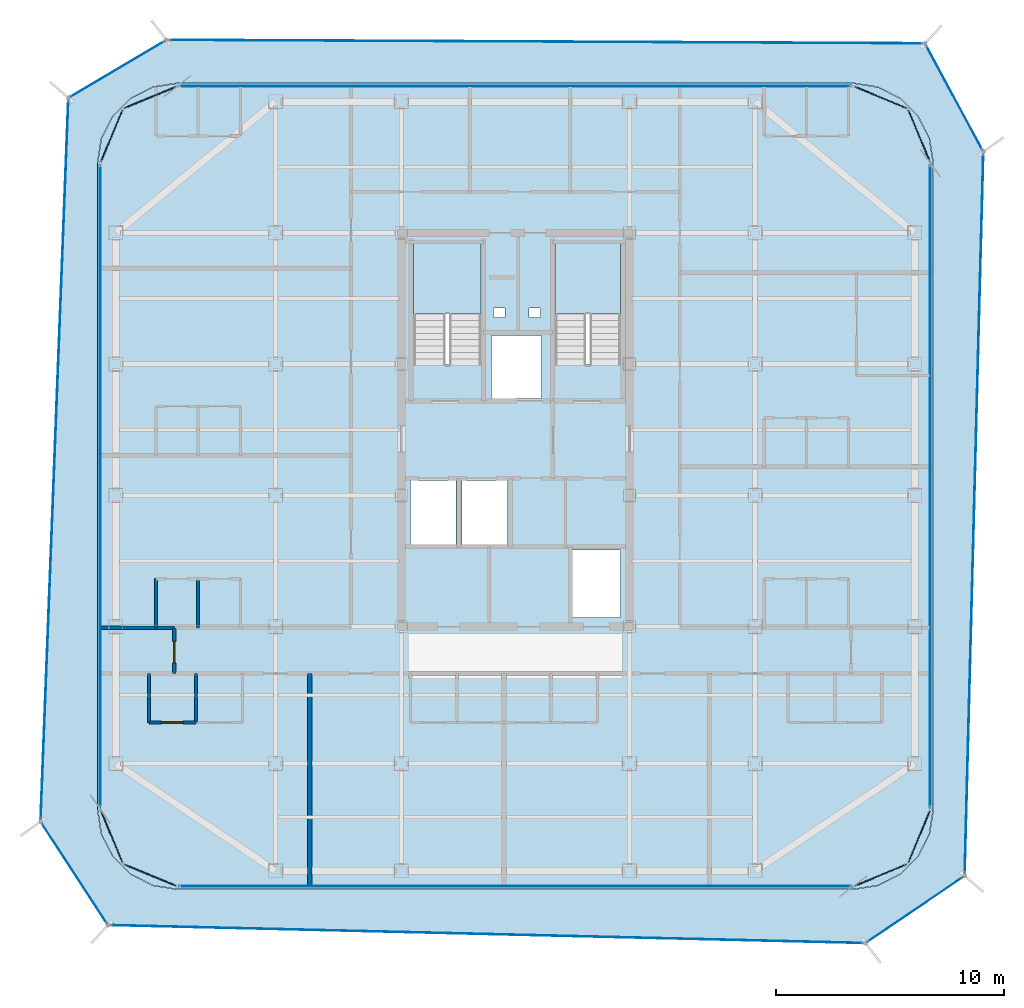
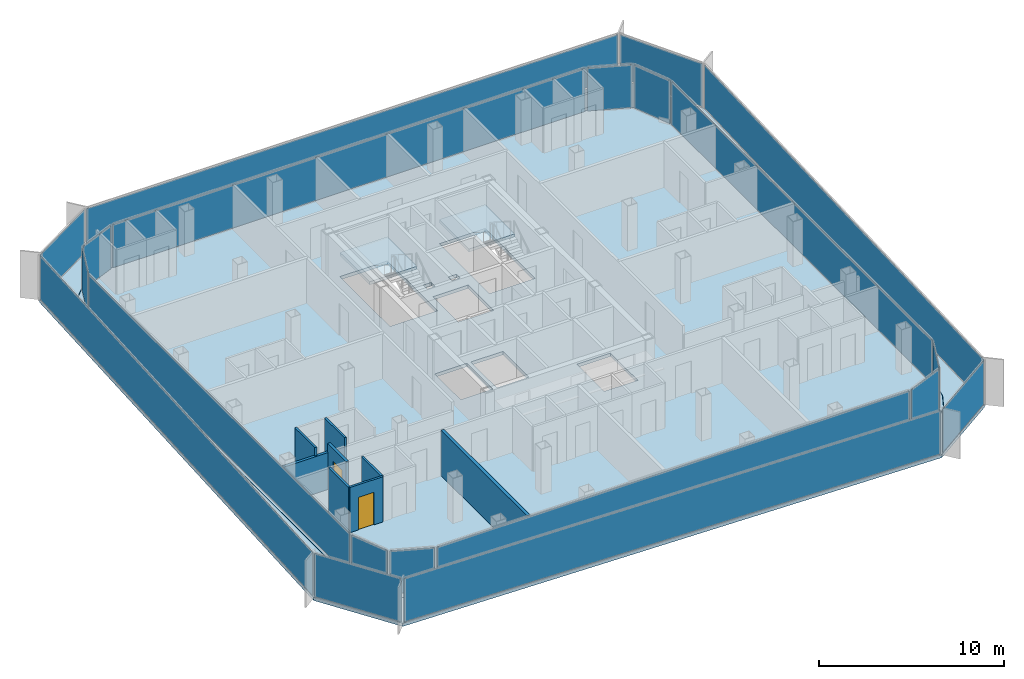
# One storey, part 9 of 16: 20 plates, 8 walls, 4 slabs, 2 doors, 2 openings, 22 elements without a shape of their own.
"""IFC4 building model written with IfcOpenShell, lengths in metres."""

from ifc_helpers import new_model, si_unit, direction, frame, frame_2d, origin, origin_2d, place, context, subcontext, project, spatial, polyline, rectangle, outline, extrude, source, transform, mapped, material, layer, layer_set, type_object, element, fill, aggregate, save


model = new_model("IFC4")

# Units and contexts
model_context = context("Model", 3, precision=1e-05, world=origin(), true_north=direction((0.0, 1.0)))
body_context = subcontext(model_context, "Body", "Model", "MODEL_VIEW")
ifc_project = project(units=[si_unit("LENGTHUNIT", "METRE"), si_unit("AREAUNIT", "SQUARE_METRE"), si_unit("VOLUMEUNIT", "CUBIC_METRE"), si_unit("PLANEANGLEUNIT", "RADIAN"), si_unit("MASSUNIT", "GRAM", prefix="KILO")], contexts=[model_context])

# Site, building, storey
site_placement = place(None, origin())
site = spatial("IfcSite", under=ifc_project, at=site_placement, CompositionType="ELEMENT")
building_placement = place(site_placement, origin())
building = spatial("IfcBuilding", under=site, at=building_placement, Name="Kolveth Station Tower", CompositionType="ELEMENT")
storey_placement = place(building_placement, frame((0.0, 0.0, 236.10009765625)))
storey = spatial("IfcBuildingStorey", under=building, at=storey_placement, Name="L67", CompositionType="ELEMENT", Elevation=236.10009765625)

# Slab
ifc_material_1 = material(Name="Concrete C40/50", Category="concrete")
ifc_layer_1 = layer(ifc_material_1, 0.219970703125)
ifc_layer_set_1 = layer_set([ifc_layer_1], Name="Concrete C40/50")
slab_type_1 = type_object("IfcSlabType", Name="Slab_SF-220", PredefinedType="FLOOR", material=ifc_layer_set_1)
slab_1_placement = place(storey_placement, frame((0.0, 0.0, -0.22021484375)))
element("IfcSlab", 1, at=slab_1_placement, inside=storey, type_object=slab_type_1, Name="L67 Tower Structural Floor Slab", PredefinedType="FLOOR", context=body_context, shape_type="SweptSolid", body=[
    extrude(outline(polyline([(38.300048828125, 0.0), (39.381591796875, 0.17138671875), (40.357177734375, 0.66845703125), (41.131591796875, 1.44287109375), (41.628662109375, 2.41845703125), (41.800048828125, 3.5), (41.800048828125, 31.800048828125), (41.628662109375, 32.881591796875), (41.131591796875, 33.857177734375), (40.357177734375, 34.631591796875), (39.381591796875, 35.128662109375), (38.300048828125, 35.300048828125), (8.699951171875, 35.300048828125), (7.618408203125, 35.128662109375), (6.642822265625, 34.631591796875), (5.868408203125, 33.857177734375), (5.371337890625, 32.881591796875), (5.199951171875, 31.800048828125), (5.199951171875, 3.5), (5.371337890625, 2.41845703125), (5.868408203125, 1.44287109375), (6.642822265625, 0.66845703125), (7.618408203125, 0.17138671875), (8.699951171875, 0.0), (38.300048828125, 0.0)]), holes=[polyline([(19.0400390625, 22.985107421875), (22.0, 22.985107421875), (22.0, 28.39990234375), (19.0400390625, 28.39990234375), (19.0400390625, 22.985107421875)]), polyline([(25.239990234375, 22.985107421875), (28.10009765625, 22.985107421875), (28.10009765625, 28.39990234375), (25.239990234375, 28.39990234375), (25.239990234375, 22.985107421875)]), polyline([(18.89990234375, 15.10009765625), (20.89990234375, 15.10009765625), (20.89990234375, 17.89990234375), (18.89990234375, 17.89990234375), (18.89990234375, 15.10009765625)]), polyline([(21.14990234375, 15.10009765625), (23.14990234375, 15.10009765625), (23.14990234375, 17.89990234375), (21.14990234375, 17.89990234375), (21.14990234375, 15.10009765625)]), polyline([(22.449951171875, 21.5), (24.64990234375, 21.5), (24.64990234375, 24.25), (22.449951171875, 24.25), (22.449951171875, 21.5)]), polyline([(26.0, 11.89990234375), (28.10009765625, 11.89990234375), (28.10009765625, 14.85009765625), (26.0, 14.85009765625), (26.0, 11.89990234375)]), polyline([(22.550048828125, 25.050048828125), (23.050048828125, 25.050048828125), (23.050048828125, 25.449951171875), (22.550048828125, 25.449951171875), (22.550048828125, 25.050048828125)]), polyline([(24.10009765625, 25.050048828125), (24.60009765625, 25.050048828125), (24.60009765625, 25.449951171875), (24.10009765625, 25.449951171875), (24.10009765625, 25.050048828125)])]), origin(), (0.0, 0.0, 1.0), 0.22021484375),
])

# Stair, slab
stair_type_1 = type_object("IfcStairType", Name="Stair_ST2", PredefinedType="HALF_TURN_STAIR", material=ifc_material_1)
stair_1_placement = place(storey_placement, origin())
stair_1 = element("IfcStair", 2, at=stair_1_placement, inside=storey, type_object=stair_type_1, Name="L67 Tower Exit Stair ST2", PredefinedType="HALF_TURN_STAIR")
ifc_layer_2 = layer(ifc_material_1, 0.18994140625)
ifc_layer_set_2 = layer_set([ifc_layer_2], Name="Concrete C40/50")
slab_type_2 = type_object("IfcSlabType", Name="Slab_SL-190", PredefinedType="LANDING", material=ifc_layer_set_2)
slab_2_placement = place(storey_placement, frame((0.0, 0.0, 1.39990234375)))
slab_2 = element("IfcSlab", 3, at=slab_2_placement, type_object=slab_type_2, Name="ST2 landing 1", PredefinedType="LANDING", context=body_context, shape_type="SweptSolid", body=[
    extrude(outline(polyline([(28.10009765625, 25.18994140625), (28.10009765625, 28.39990234375), (25.239990234375, 28.39990234375), (25.239990234375, 25.18994140625), (28.10009765625, 25.18994140625)])), origin(), (0.0, 0.0, 1.0), 0.199951171875),
])
aggregate(stair_1, [slab_2])

stair_type_2 = type_object("IfcStairType", Name="Stair_ST1", PredefinedType="HALF_TURN_STAIR", material=ifc_material_1)
stair_2_placement = place(storey_placement, origin())
stair_2 = element("IfcStair", 4, at=stair_2_placement, inside=storey, type_object=stair_type_2, Name="L67 Tower Exit Stair ST1", PredefinedType="HALF_TURN_STAIR")
ifc_layer_3 = layer(ifc_material_1, 0.205078125)
ifc_layer_set_3 = layer_set([ifc_layer_3], Name="Concrete C40/50")
slab_type_3 = type_object("IfcSlabType", Name="Slab_SL-205", PredefinedType="LANDING", material=ifc_layer_set_3)
slab_3_placement = place(storey_placement, frame((0.0, 0.0, 1.39990234375)))
slab_3 = element("IfcSlab", 5, at=slab_3_placement, type_object=slab_type_3, Name="ST1 landing 1", PredefinedType="LANDING", context=body_context, shape_type="SweptSolid", body=[
    extrude(outline(polyline([(22.0, 25.18994140625), (22.0, 28.39990234375), (19.0400390625, 28.39990234375), (19.0400390625, 25.18994140625), (22.0, 25.18994140625)])), origin(), (0.0, 0.0, 1.0), 0.199951171875),
])
aggregate(stair_2, [slab_3])

# Slab
ifc_layer_4 = layer(ifc_material_1, 0.2099609375)
ifc_layer_set_4 = layer_set([ifc_layer_4], Name="Concrete C40/50")
slab_type_4 = type_object("IfcSlabType", Name="Slab_ST-210", PredefinedType="FLOOR", material=ifc_layer_set_4)
slab_4_placement = place(storey_placement, frame((0.0, 0.0, -0.210205078125)))
element("IfcSlab", 6, at=slab_4_placement, inside=storey, type_object=slab_type_4, Name="L67 Double-Skin Cavity Structural Ledger Ring", PredefinedType="FLOOR", context=body_context, shape_type="SweptSolid", body=[
    extrude(outline(polyline([(5.653564453125, -1.576171875), (2.70263671875, 2.9599609375), (3.923095703125, 34.656982421875), (8.219482421875, 37.20068359375), (41.4453125, 37.048828125), (44.00244140625, 32.303466796875), (43.18310546875, 0.582275390625), (38.837890625, -2.364501953125), (5.653564453125, -1.576171875)]), holes=[polyline([(38.30224609375, -0.014892578125), (39.3837890625, 0.156494140625), (39.388427734375, 0.157958984375), (40.364013671875, 0.655029296875), (40.367919921875, 0.65771484375), (41.14208984375, 1.43212890625), (41.14501953125, 1.43603515625), (41.64208984375, 2.41162109375), (41.6435546875, 2.416015625), (41.814697265625, 3.497802734375), (41.81494140625, 3.5), (41.81494140625, 31.800048828125), (41.814697265625, 31.80224609375), (41.6435546875, 32.8837890625), (41.64208984375, 32.888427734375), (41.14501953125, 33.864013671875), (41.14208984375, 33.867919921875), (40.367919921875, 34.64208984375), (40.364013671875, 34.64501953125), (39.388427734375, 35.14208984375), (39.3837890625, 35.1435546875), (38.30224609375, 35.314697265625), (38.300048828125, 35.31494140625), (8.699951171875, 35.31494140625), (8.69775390625, 35.314697265625), (7.6162109375, 35.1435546875), (7.611572265625, 35.14208984375), (6.635986328125, 34.64501953125), (6.632080078125, 34.64208984375), (5.85791015625, 33.867919921875), (5.85498046875, 33.864013671875), (5.35791015625, 32.888427734375), (5.3564453125, 32.8837890625), (5.185302734375, 31.80224609375), (5.18505859375, 31.800048828125), (5.18505859375, 3.5), (5.185302734375, 3.497802734375), (5.3564453125, 2.416015625), (5.35791015625, 2.41162109375), (5.85498046875, 1.43603515625), (5.85791015625, 1.43212890625), (6.632080078125, 0.65771484375), (6.635986328125, 0.655029296875), (7.611572265625, 0.157958984375), (7.6162109375, 0.156494140625), (8.69775390625, -0.014892578125), (8.699951171875, -0.014892578125), (38.300048828125, -0.014892578125), (38.30224609375, -0.014892578125)])]), origin(), (0.0, 0.0, 1.0), 0.210205078125),
])

# Curtain wall, plate
ifc_material_2 = material(Name="Aluminium 6063-T6 and triple low-E dark glass", Category="aluminium")
ifc_layer_5 = layer(ifc_material_2, 0.199951171875)
ifc_layer_set_5 = layer_set([ifc_layer_5], Name="Aluminium 6063-T6 and triple low-E dark glass")
curtain_wall_type_1 = type_object("IfcCurtainWallType", Name="CurtainWall_CW-Z3", PredefinedType="NOTDEFINED", material=ifc_layer_set_5)
curtain_wall_1_placement = place(storey_placement, origin())
curtain_wall_1 = element("IfcCurtainWall", 7, at=curtain_wall_1_placement, inside=storey, type_object=curtain_wall_type_1, Name="L67 Inner Thermal Curtain Wall 1", PredefinedType="NOTDEFINED")
ifc_material_3 = material(Name="Architectural low-E dark glass", Category="glass")
ifc_layer_6 = layer(ifc_material_3, 0.0419921875)
ifc_layer_set_6 = layer_set([ifc_layer_6], Name="Architectural low-E dark glass")
plate_type_1 = type_object("IfcPlateType", Name="Panel_GL3", PredefinedType="CURTAIN_PANEL", material=ifc_layer_set_6)
shared_shape_1 = source(origin(), body_context, "Body", "SweptSolid", [
    extrude(rectangle(XDim=2.430908203125, YDim=0.0419921875, at=origin_2d()), origin(), (0.0, 0.0, 1.0), 2.823974609375),
])
plate_1_placement = place(storey_placement, frame((39.4951171875, 0.614990234375, 0.078125), z_axis=(0.0, 0.0, 1.0), x_axis=(0.923875488975, 0.382693194181, 0.0)))
plate_1 = element("IfcPlate", 8, at=plate_1_placement, type_object=plate_type_1, Name="CW-Z3 panel 1.1", PredefinedType="CURTAIN_PANEL", context=body_context, shape_type="MappedRepresentation", body=[
    mapped(shared_shape_1, transform((0.0, 0.0, 0.0), x_axis=(1.0, 0.0, 0.0), y_axis=(0.0, 1.0, 0.0), z_axis=(0.0, 0.0, 1.0), scale=1.0)),
])
aggregate(curtain_wall_1, [plate_1])

curtain_wall_2_placement = place(storey_placement, origin())
curtain_wall_2 = element("IfcCurtainWall", 9, at=curtain_wall_2_placement, inside=storey, type_object=curtain_wall_type_1, Name="L67 Inner Thermal Curtain Wall 2", PredefinedType="NOTDEFINED")
plate_2_placement = place(storey_placement, frame((41.18505859375, 2.304931640625, 0.078125), z_axis=(0.0, 0.0, 1.0), x_axis=(0.382693194181, 0.923875488975, 0.0)))
plate_2 = element("IfcPlate", 10, at=plate_2_placement, type_object=plate_type_1, Name="CW-Z3 panel 1.1", PredefinedType="CURTAIN_PANEL", context=body_context, shape_type="MappedRepresentation", body=[
    mapped(shared_shape_1, transform((0.0, 0.0, 0.0), x_axis=(1.0, 0.0, 0.0), y_axis=(0.0, 1.0, 0.0), z_axis=(0.0, 0.0, 1.0), scale=1.0)),
])
aggregate(curtain_wall_2, [plate_2])

curtain_wall_3_placement = place(storey_placement, origin())
curtain_wall_3 = element("IfcCurtainWall", 11, at=curtain_wall_3_placement, inside=storey, type_object=curtain_wall_type_1, Name="L67 Inner Thermal Curtain Wall 4", PredefinedType="NOTDEFINED")
plate_3_placement = place(storey_placement, frame((41.18505859375, 32.9951171875, 0.078125), z_axis=(0.0, 0.0, 1.0), x_axis=(-0.382693194181, 0.923875488975, 0.0)))
plate_3 = element("IfcPlate", 12, at=plate_3_placement, type_object=plate_type_1, Name="CW-Z3 panel 1.1", PredefinedType="CURTAIN_PANEL", context=body_context, shape_type="MappedRepresentation", body=[
    mapped(shared_shape_1, transform((0.0, 0.0, 0.0), x_axis=(1.0, 0.0, 0.0), y_axis=(0.0, 1.0, 0.0), z_axis=(0.0, 0.0, 1.0), scale=1.0)),
])
aggregate(curtain_wall_3, [plate_3])

curtain_wall_4_placement = place(storey_placement, origin())
curtain_wall_4 = element("IfcCurtainWall", 13, at=curtain_wall_4_placement, inside=storey, type_object=curtain_wall_type_1, Name="L67 Inner Thermal Curtain Wall 5", PredefinedType="NOTDEFINED")
plate_4_placement = place(storey_placement, frame((39.4951171875, 34.68505859375, 0.078125), z_axis=(0.0, 0.0, 1.0), x_axis=(-0.923875488975, 0.382693194181, 0.0)))
plate_4 = element("IfcPlate", 14, at=plate_4_placement, type_object=plate_type_1, Name="CW-Z3 panel 1.1", PredefinedType="CURTAIN_PANEL", context=body_context, shape_type="MappedRepresentation", body=[
    mapped(shared_shape_1, transform((0.0, 0.0, 0.0), x_axis=(1.0, 0.0, 0.0), y_axis=(0.0, 1.0, 0.0), z_axis=(0.0, 0.0, 1.0), scale=1.0)),
])
aggregate(curtain_wall_4, [plate_4])

curtain_wall_5_placement = place(storey_placement, origin())
curtain_wall_5 = element("IfcCurtainWall", 15, at=curtain_wall_5_placement, inside=storey, type_object=curtain_wall_type_1, Name="L67 Inner Thermal Curtain Wall 7", PredefinedType="NOTDEFINED")
plate_5_placement = place(storey_placement, frame((7.5048828125, 34.68505859375, 0.078125), z_axis=(0.0, 0.0, 1.0), x_axis=(-0.923875488975, -0.382693194181, 0.0)))
plate_5 = element("IfcPlate", 16, at=plate_5_placement, type_object=plate_type_1, Name="CW-Z3 panel 1.1", PredefinedType="CURTAIN_PANEL", context=body_context, shape_type="MappedRepresentation", body=[
    mapped(shared_shape_1, transform((0.0, 0.0, 0.0), x_axis=(1.0, 0.0, 0.0), y_axis=(0.0, 1.0, 0.0), z_axis=(0.0, 0.0, 1.0), scale=1.0)),
])
aggregate(curtain_wall_5, [plate_5])

curtain_wall_6_placement = place(storey_placement, origin())
curtain_wall_6 = element("IfcCurtainWall", 17, at=curtain_wall_6_placement, inside=storey, type_object=curtain_wall_type_1, Name="L67 Inner Thermal Curtain Wall 8", PredefinedType="NOTDEFINED")
plate_6_placement = place(storey_placement, frame((5.81494140625, 32.9951171875, 0.078125), z_axis=(0.0, 0.0, 1.0), x_axis=(-0.382693194181, -0.923875488975, 0.0)))
plate_6 = element("IfcPlate", 18, at=plate_6_placement, type_object=plate_type_1, Name="CW-Z3 panel 1.1", PredefinedType="CURTAIN_PANEL", context=body_context, shape_type="MappedRepresentation", body=[
    mapped(shared_shape_1, transform((0.0, 0.0, 0.0), x_axis=(1.0, 0.0, 0.0), y_axis=(0.0, 1.0, 0.0), z_axis=(0.0, 0.0, 1.0), scale=1.0)),
])
aggregate(curtain_wall_6, [plate_6])

curtain_wall_7_placement = place(storey_placement, origin())
curtain_wall_7 = element("IfcCurtainWall", 19, at=curtain_wall_7_placement, inside=storey, type_object=curtain_wall_type_1, Name="L67 Inner Thermal Curtain Wall 10", PredefinedType="NOTDEFINED")
plate_7_placement = place(storey_placement, frame((5.81494140625, 2.304931640625, 0.078125), z_axis=(0.0, 0.0, 1.0), x_axis=(0.382693194181, -0.923875488975, 0.0)))
plate_7 = element("IfcPlate", 20, at=plate_7_placement, type_object=plate_type_1, Name="CW-Z3 panel 1.1", PredefinedType="CURTAIN_PANEL", context=body_context, shape_type="MappedRepresentation", body=[
    mapped(shared_shape_1, transform((0.0, 0.0, 0.0), x_axis=(1.0, 0.0, 0.0), y_axis=(0.0, 1.0, 0.0), z_axis=(0.0, 0.0, 1.0), scale=1.0)),
])
aggregate(curtain_wall_7, [plate_7])

curtain_wall_8_placement = place(storey_placement, origin())
curtain_wall_8 = element("IfcCurtainWall", 21, at=curtain_wall_8_placement, inside=storey, type_object=curtain_wall_type_1, Name="L67 Inner Thermal Curtain Wall 11", PredefinedType="NOTDEFINED")
plate_8_placement = place(storey_placement, frame((7.5048828125, 0.614990234375, 0.078125), z_axis=(0.0, 0.0, 1.0), x_axis=(0.923875488975, -0.382693194181, 0.0)))
plate_8 = element("IfcPlate", 22, at=plate_8_placement, type_object=plate_type_1, Name="CW-Z3 panel 1.1", PredefinedType="CURTAIN_PANEL", context=body_context, shape_type="MappedRepresentation", body=[
    mapped(shared_shape_1, transform((0.0, 0.0, 0.0), x_axis=(1.0, 0.0, 0.0), y_axis=(0.0, 1.0, 0.0), z_axis=(0.0, 0.0, 1.0), scale=1.0)),
])
aggregate(curtain_wall_8, [plate_8])

curtain_wall_9_placement = place(storey_placement, origin())
curtain_wall_9 = element("IfcCurtainWall", 23, at=curtain_wall_9_placement, inside=storey, type_object=curtain_wall_type_1, Name="L67 Inner Thermal Curtain Wall 3", PredefinedType="NOTDEFINED")
shared_shape_2 = source(origin(), body_context, "Body", "SweptSolid", [
    extrude(rectangle(XDim=28.14404296875, YDim=0.0419921875, at=origin_2d()), origin(), (0.0, 0.0, 1.0), 2.823974609375),
])
plate_9_placement = place(storey_placement, frame((41.679931640625, 17.64990234375, 0.078125), z_axis=(0.0, 0.0, 1.0), x_axis=(0.0, 1.0, 0.0)))
plate_9 = element("IfcPlate", 24, at=plate_9_placement, type_object=plate_type_1, Name="CW-Z3 panel 1.1", PredefinedType="CURTAIN_PANEL", context=body_context, shape_type="MappedRepresentation", body=[
    mapped(shared_shape_2, transform((0.0, 0.0, 0.0), x_axis=(1.0, 0.0, 0.0), y_axis=(0.0, 1.0, 0.0), z_axis=(0.0, 0.0, 1.0), scale=1.0)),
])
aggregate(curtain_wall_9, [plate_9])

curtain_wall_10_placement = place(storey_placement, origin())
curtain_wall_10 = element("IfcCurtainWall", 25, at=curtain_wall_10_placement, inside=storey, type_object=curtain_wall_type_1, Name="L67 Inner Thermal Curtain Wall 9", PredefinedType="NOTDEFINED")
plate_10_placement = place(storey_placement, frame((5.320068359375, 17.64990234375, 0.078125), z_axis=(0.0, 0.0, 1.0), x_axis=(0.0, -1.0, 0.0)))
plate_10 = element("IfcPlate", 26, at=plate_10_placement, type_object=plate_type_1, Name="CW-Z3 panel 1.1", PredefinedType="CURTAIN_PANEL", context=body_context, shape_type="MappedRepresentation", body=[
    mapped(shared_shape_2, transform((0.0, 0.0, 0.0), x_axis=(1.0, 0.0, 0.0), y_axis=(0.0, 1.0, 0.0), z_axis=(0.0, 0.0, 1.0), scale=1.0)),
])
aggregate(curtain_wall_10, [plate_10])

curtain_wall_11_placement = place(storey_placement, origin())
curtain_wall_11 = element("IfcCurtainWall", 27, at=curtain_wall_11_placement, inside=storey, type_object=curtain_wall_type_1, Name="L67 Inner Thermal Curtain Wall 6", PredefinedType="NOTDEFINED")
shared_shape_3 = source(origin(), body_context, "Body", "SweptSolid", [
    extrude(rectangle(XDim=29.444091796875, YDim=0.0419921875, at=origin_2d()), origin(), (0.0, 0.0, 1.0), 2.823974609375),
])
plate_11_placement = place(storey_placement, frame((23.5, 35.179931640625, 0.078125), z_axis=(0.0, 0.0, 1.0), x_axis=(-1.0, 0.0, 0.0)))
plate_11 = element("IfcPlate", 28, at=plate_11_placement, type_object=plate_type_1, Name="CW-Z3 panel 1.1", PredefinedType="CURTAIN_PANEL", context=body_context, shape_type="MappedRepresentation", body=[
    mapped(shared_shape_3, transform((0.0, 0.0, 0.0), x_axis=(1.0, 0.0, 0.0), y_axis=(0.0, 1.0, 0.0), z_axis=(0.0, 0.0, 1.0), scale=1.0)),
])
aggregate(curtain_wall_11, [plate_11])

curtain_wall_12_placement = place(storey_placement, origin())
curtain_wall_12 = element("IfcCurtainWall", 29, at=curtain_wall_12_placement, inside=storey, type_object=curtain_wall_type_1, Name="L67 Inner Thermal Curtain Wall 12", PredefinedType="NOTDEFINED")
plate_12_placement = place(storey_placement, frame((23.5, 0.1201171875, 0.078125), z_axis=(0.0, 0.0, 1.0), x_axis=(1.0, 0.0, 0.0)))
plate_12 = element("IfcPlate", 30, at=plate_12_placement, type_object=plate_type_1, Name="CW-Z3 panel 1.1", PredefinedType="CURTAIN_PANEL", context=body_context, shape_type="MappedRepresentation", body=[
    mapped(shared_shape_3, transform((0.0, 0.0, 0.0), x_axis=(1.0, 0.0, 0.0), y_axis=(0.0, 1.0, 0.0), z_axis=(0.0, 0.0, 1.0), scale=1.0)),
])
aggregate(curtain_wall_12, [plate_12])

ifc_material_4 = material(Name="Black anodized aluminium 6063-T6 and dark solar glass", Category="aluminium")
ifc_layer_7 = layer(ifc_material_4, 0.159912109375)
ifc_layer_set_7 = layer_set([ifc_layer_7], Name="Black anodized aluminium 6063-T6 and dark solar glass")
curtain_wall_type_2 = type_object("IfcCurtainWallType", Name="OUTER SKIN CW-OS", PredefinedType="NOTDEFINED", material=ifc_layer_set_7)
curtain_wall_13_placement = place(storey_placement, origin())
curtain_wall_13 = element("IfcCurtainWall", 31, at=curtain_wall_13_placement, inside=storey, type_object=curtain_wall_type_2, Name="L67 Outer Ventilated Skin Curtain Wall 1", PredefinedType="NOTDEFINED")
ifc_layer_8 = layer(ifc_material_3, 0.028076171875)
ifc_layer_set_8 = layer_set([ifc_layer_8], Name="Architectural low-E dark glass")
plate_type_2 = type_object("IfcPlateType", Name="Panel_GL-OS", PredefinedType="CURTAIN_PANEL", material=ifc_layer_set_8)
shared_shape_4 = source(origin(), body_context, "Body", "SweptSolid", [
    extrude(rectangle(XDim=5.083984375, YDim=0.028076171875, at=origin_2d()), origin(), (0.0, 0.0, 1.0), 2.843994140625),
])
plate_13_placement = place(storey_placement, frame((41.010498046875, -0.89111328125, 0.07275390625), z_axis=(0.0, 0.0, 1.0), x_axis=(0.827637566105, 0.561262914481, 0.0)))
plate_13 = element("IfcPlate", 32, at=plate_13_placement, type_object=plate_type_2, Name="CW-OS panel 1.1", PredefinedType="CURTAIN_PANEL", context=body_context, shape_type="MappedRepresentation", body=[
    mapped(shared_shape_4, transform((0.0, 0.0, 0.0), x_axis=(1.0, 0.0, 0.0), y_axis=(0.0, 1.0, 0.0), z_axis=(0.0, 0.0, 1.0), scale=1.0)),
])
aggregate(curtain_wall_13, [plate_13])

curtain_wall_14_placement = place(storey_placement, origin())
curtain_wall_14 = element("IfcCurtainWall", 33, at=curtain_wall_14_placement, inside=storey, type_object=curtain_wall_type_2, Name="L67 Outer Ventilated Skin Curtain Wall 2", PredefinedType="NOTDEFINED")
shared_shape_5 = source(origin(), body_context, "Body", "SweptSolid", [
    extrude(rectangle(XDim=31.56591796875, YDim=0.028076171875, at=origin_2d()), origin(), (0.0, 0.0, 1.0), 2.843994140625),
])
plate_14_placement = place(storey_placement, frame((43.5927734375, 16.44287109375, 0.07275390625), z_axis=(0.0, 0.0, 1.0), x_axis=(0.0258226915, 0.999666538704, 0.0)))
plate_14 = element("IfcPlate", 34, at=plate_14_placement, type_object=plate_type_2, Name="CW-OS panel 1.1", PredefinedType="CURTAIN_PANEL", context=body_context, shape_type="MappedRepresentation", body=[
    mapped(shared_shape_5, transform((0.0, 0.0, 0.0), x_axis=(1.0, 0.0, 0.0), y_axis=(0.0, 1.0, 0.0), z_axis=(0.0, 0.0, 1.0), scale=1.0)),
])
aggregate(curtain_wall_14, [plate_14])

curtain_wall_15_placement = place(storey_placement, origin())
curtain_wall_15 = element("IfcCurtainWall", 35, at=curtain_wall_15_placement, inside=storey, type_object=curtain_wall_type_2, Name="L67 Outer Ventilated Skin Curtain Wall 3", PredefinedType="NOTDEFINED")
shared_shape_6 = source(origin(), body_context, "Body", "SweptSolid", [
    extrude(rectangle(XDim=5.224609375, YDim=0.028076171875, at=origin_2d()), origin(), (0.0, 0.0, 1.0), 2.843994140625),
])
plate_15_placement = place(storey_placement, frame((42.723876953125, 34.67626953125, 0.07275390625), z_axis=(0.0, 0.0, 1.0), x_axis=(-0.474385210636, 0.880317370004, 0.0)))
plate_15 = element("IfcPlate", 36, at=plate_15_placement, type_object=plate_type_2, Name="CW-OS panel 1.1", PredefinedType="CURTAIN_PANEL", context=body_context, shape_type="MappedRepresentation", body=[
    mapped(shared_shape_6, transform((0.0, 0.0, 0.0), x_axis=(1.0, 0.0, 0.0), y_axis=(0.0, 1.0, 0.0), z_axis=(0.0, 0.0, 1.0), scale=1.0)),
])
aggregate(curtain_wall_15, [plate_15])

curtain_wall_16_placement = place(storey_placement, origin())
curtain_wall_16 = element("IfcCurtainWall", 37, at=curtain_wall_16_placement, inside=storey, type_object=curtain_wall_type_2, Name="L67 Outer Ventilated Skin Curtain Wall 4", PredefinedType="NOTDEFINED")
shared_shape_7 = source(origin(), body_context, "Body", "SweptSolid", [
    extrude(rectangle(XDim=33.060302734375, YDim=0.028076171875, at=origin_2d()), origin(), (0.0, 0.0, 1.0), 2.843994140625),
])
plate_16_placement = place(storey_placement, frame((24.832275390625, 37.124755859375, 0.07275390625), z_axis=(0.0, 0.0, 1.0), x_axis=(-0.999989577285, 0.004565667705, 0.0)))
plate_16 = element("IfcPlate", 38, at=plate_16_placement, type_object=plate_type_2, Name="CW-OS panel 1.1", PredefinedType="CURTAIN_PANEL", context=body_context, shape_type="MappedRepresentation", body=[
    mapped(shared_shape_7, transform((0.0, 0.0, 0.0), x_axis=(1.0, 0.0, 0.0), y_axis=(0.0, 1.0, 0.0), z_axis=(0.0, 0.0, 1.0), scale=1.0)),
])
aggregate(curtain_wall_16, [plate_16])

curtain_wall_17_placement = place(storey_placement, origin())
curtain_wall_17 = element("IfcCurtainWall", 39, at=curtain_wall_17_placement, inside=storey, type_object=curtain_wall_type_2, Name="L67 Outer Ventilated Skin Curtain Wall 5", PredefinedType="NOTDEFINED")
shared_shape_8 = source(origin(), body_context, "Body", "SweptSolid", [
    extrude(rectangle(XDim=4.826904296875, YDim=0.028076171875, at=origin_2d()), origin(), (0.0, 0.0, 1.0), 2.843994140625),
])
plate_17_placement = place(storey_placement, frame((6.0712890625, 35.9287109375, 0.07275390625), z_axis=(0.0, 0.0, 1.0), x_axis=(-0.860489599499, -0.509468006016, 0.0)))
plate_17 = element("IfcPlate", 40, at=plate_17_placement, type_object=plate_type_2, Name="CW-OS panel 1.1", PredefinedType="CURTAIN_PANEL", context=body_context, shape_type="MappedRepresentation", body=[
    mapped(shared_shape_8, transform((0.0, 0.0, 0.0), x_axis=(1.0, 0.0, 0.0), y_axis=(0.0, 1.0, 0.0), z_axis=(0.0, 0.0, 1.0), scale=1.0)),
])
aggregate(curtain_wall_17, [plate_17])

curtain_wall_18_placement = place(storey_placement, origin())
curtain_wall_18 = element("IfcCurtainWall", 41, at=curtain_wall_18_placement, inside=storey, type_object=curtain_wall_type_2, Name="L67 Outer Ventilated Skin Curtain Wall 6", PredefinedType="NOTDEFINED")
shared_shape_9 = source(origin(), body_context, "Body", "SweptSolid", [
    extrude(rectangle(XDim=31.554443359375, YDim=0.028076171875, at=origin_2d()), origin(), (0.0, 0.0, 1.0), 2.843994140625),
])
plate_18_placement = place(storey_placement, frame((3.312744140625, 18.808349609375, 0.07275390625), z_axis=(0.0, 0.0, 1.0), x_axis=(-0.038476829309, -0.999259492628, 0.0)))
plate_18 = element("IfcPlate", 42, at=plate_18_placement, type_object=plate_type_2, Name="CW-OS panel 1.1", PredefinedType="CURTAIN_PANEL", context=body_context, shape_type="MappedRepresentation", body=[
    mapped(shared_shape_9, transform((0.0, 0.0, 0.0), x_axis=(1.0, 0.0, 0.0), y_axis=(0.0, 1.0, 0.0), z_axis=(0.0, 0.0, 1.0), scale=1.0)),
])
aggregate(curtain_wall_18, [plate_18])

curtain_wall_19_placement = place(storey_placement, origin())
curtain_wall_19 = element("IfcCurtainWall", 43, at=curtain_wall_19_placement, inside=storey, type_object=curtain_wall_type_2, Name="L67 Outer Ventilated Skin Curtain Wall 7", PredefinedType="NOTDEFINED")
shared_shape_10 = source(origin(), body_context, "Body", "SweptSolid", [
    extrude(rectangle(XDim=5.24560546875, YDim=0.028076171875, at=origin_2d()), origin(), (0.0, 0.0, 1.0), 2.843994140625),
])
plate_19_placement = place(storey_placement, frame((4.177978515625, 0.69189453125, 0.07275390625), z_axis=(0.0, 0.0, 1.0), x_axis=(0.54531761938, -0.838229499596, 0.0)))
plate_19 = element("IfcPlate", 44, at=plate_19_placement, type_object=plate_type_2, Name="CW-OS panel 1.1", PredefinedType="CURTAIN_PANEL", context=body_context, shape_type="MappedRepresentation", body=[
    mapped(shared_shape_10, transform((0.0, 0.0, 0.0), x_axis=(1.0, 0.0, 0.0), y_axis=(0.0, 1.0, 0.0), z_axis=(0.0, 0.0, 1.0), scale=1.0)),
])
aggregate(curtain_wall_19, [plate_19])

curtain_wall_20_placement = place(storey_placement, origin())
curtain_wall_20 = element("IfcCurtainWall", 45, at=curtain_wall_20_placement, inside=storey, type_object=curtain_wall_type_2, Name="L67 Outer Ventilated Skin Curtain Wall 8", PredefinedType="NOTDEFINED")
shared_shape_11 = source(origin(), body_context, "Body", "SweptSolid", [
    extrude(rectangle(XDim=33.027587890625, YDim=0.028076171875, at=origin_2d()), origin(), (0.0, 0.0, 1.0), 2.843994140625),
])
plate_20_placement = place(storey_placement, frame((22.245849609375, -1.97021484375, 0.07275390625), z_axis=(0.0, 0.0, 1.0), x_axis=(0.999717964371, -0.023748509719, 0.0)))
plate_20 = element("IfcPlate", 46, at=plate_20_placement, type_object=plate_type_2, Name="CW-OS panel 1.1", PredefinedType="CURTAIN_PANEL", context=body_context, shape_type="MappedRepresentation", body=[
    mapped(shared_shape_11, transform((0.0, 0.0, 0.0), x_axis=(1.0, 0.0, 0.0), y_axis=(0.0, 1.0, 0.0), z_axis=(0.0, 0.0, 1.0), scale=1.0)),
])
aggregate(curtain_wall_20, [plate_20])

# Wall, opening, door
ifc_material_5 = material(Name="Moisture-resistant gypsum partition")
ifc_layer_9 = layer(ifc_material_5, 0.135009765625)
ifc_layer_set_9 = layer_set([ifc_layer_9], Name="Moisture-resistant gypsum partition")
wall_type_1 = type_object("IfcWallType", Name="Wall_IW-135", PredefinedType="PARTITIONING", material=ifc_layer_set_9)
wall_1_placement = place(storey_placement, frame((7.449951171875, 7.300048828125, 0.0), z_axis=(0.0, 0.0, 1.0), x_axis=(1.0, 0.0, 0.0)))
wall_1 = element("IfcWall", 47, at=wall_1_placement, inside=storey, type_object=wall_type_1, Name="L67 Partition Wall WL-L67-A1-IBHK", PredefinedType="PARTITIONING", context=body_context, shape_type="SweptSolid", body=[
    extrude(rectangle(XDim=2.050048828125, YDim=0.135009765625, at=frame_2d((1.02490234375, 0.0))), origin(), (0.0, 0.0, 1.0), 2.97998046875),
])
opening_1_placement = place(wall_1_placement, frame((0.544921875, 0.0, 0.0)))
opening_1 = element("IfcOpeningElement", 48, at=opening_1_placement, cuts=wall_1, Name="Opening ID1", PredefinedType="OPENING", context=body_context, shape_type="SweptSolid", body=[
    extrude(rectangle(XDim=0.949951171875, YDim=2.14990234375, at=frame_2d((0.47509765625, 1.074951171875))), frame((0.0, 0.077392578125, 0.0), z_axis=(0.0, -1.0, 0.0), x_axis=(1.0, 0.0, 0.0)), (0.0, 0.0, 1.0), 0.155029296875),
])
ifc_material_6 = material(Name="Acoustic hardwood leaf and aluminium frame", Category="wood")
door_type = type_object("IfcDoorType", Name="Door_ID1", OperationType="NOTDEFINED", PredefinedType="DOOR", material=ifc_material_6)
door_1_placement = place(opening_1_placement, origin())
door_1 = element("IfcDoor", 49, at=door_1_placement, inside=storey, type_object=door_type, Name="Flat L67-A1 Kitchen Door", OperationType="SINGLE_SWING_LEFT", OverallHeight=2.14990234375, OverallWidth=0.949951171875, PredefinedType="DOOR", context=body_context, shape_type="SweptSolid", body=[
    extrude(rectangle(XDim=0.949951171875, YDim=2.14990234375, at=frame_2d((0.47509765625, 1.074951171875))), frame((0.0, 0.02490234375, 0.0), z_axis=(0.0, -1.0, 0.0), x_axis=(1.0, 0.0, 0.0)), (0.0, 0.0, 1.0), 0.050048828125),
])
fill(opening_1, door_1)

# Walls
for number, where, z_axis, x_axis, name in (
    (50, (7.449951171875, 7.300048828125, 0.0), (0.0, 0.0, 1.0), (0.0, 1.0, 0.0), "L67 Partition Wall WL-L67-A1-IBV0"),
    (51, (9.5, 7.300048828125, 0.0), (0.0, 0.0, 1.0), (0.0, 1.0, 0.0), "L67 Partition Wall WL-L67-A1-IBV1"),
):
    element("IfcWall", number, at=place(storey_placement, frame(where, z_axis=z_axis, x_axis=x_axis)), inside=storey, type_object=wall_type_1, Name=name, PredefinedType="PARTITIONING", context=body_context, shape_type="SweptSolid", body=[
        extrude(rectangle(XDim=2.14990234375, YDim=0.135009765625, at=frame_2d((1.074951171875, 0.0))), origin(), (0.0, 0.0, 1.0), 2.97998046875),
    ])
for number, where, z_axis, x_axis, name in (
    (52, (7.75, 11.449951171875, 0.0), (0.0, 0.0, 1.0), (0.0, 1.0, 0.0), "L67 Partition Wall WL-L67-W1-IBV0"),
    (53, (9.60009765625, 11.449951171875, 0.0), (0.0, 0.0, 1.0), (0.0, 1.0, 0.0), "L67 Partition Wall WL-L67-W1-IBV1"),
):
    element("IfcWall", number, at=place(storey_placement, frame(where, z_axis=z_axis, x_axis=x_axis)), inside=storey, type_object=wall_type_1, Name=name, PredefinedType="PARTITIONING", context=body_context, shape_type="SweptSolid", body=[
        extrude(rectangle(XDim=2.150146484375, YDim=0.135009765625, at=frame_2d((1.0751953125, 0.0))), origin(), (0.0, 0.0, 1.0), 2.97998046875),
    ])

# Wall, opening, door
ifc_material_7 = material(Name="Acoustic double-stud gypsum partition")
ifc_layer_10 = layer(ifc_material_7, 0.1650390625)
ifc_layer_set_10 = layer_set([ifc_layer_10], Name="Acoustic double-stud gypsum partition")
wall_type_2 = type_object("IfcWallType", Name="Wall_IW-165", PredefinedType="PARTITIONING", material=ifc_layer_set_10)
wall_2_placement = place(storey_placement, frame((8.56005859375, 9.449951171875, 0.0), z_axis=(0.0, 0.0, 1.0), x_axis=(0.0, 1.0, 0.0)))
wall_2 = element("IfcWall", 54, at=wall_2_placement, inside=storey, type_object=wall_type_2, Name="L67 Partition Wall WL-L67-RSWE", PredefinedType="PARTITIONING", context=body_context, shape_type="SweptSolid", body=[
    extrude(rectangle(XDim=2.0, YDim=0.1650390625, at=frame_2d((1.0, 0.0))), origin(), (0.0, 0.0, 1.0), 2.97998046875),
])
opening_2_placement = place(wall_2_placement, frame((0.449951171875, 0.0, 0.0)))
opening_2 = element("IfcOpeningElement", 55, at=opening_2_placement, cuts=wall_2, Name="Opening ID1", PredefinedType="OPENING", context=body_context, shape_type="SweptSolid", body=[
    extrude(rectangle(XDim=0.949951171875, YDim=2.14990234375, at=frame_2d((0.47509765625, 1.074951171875))), frame((0.0, 0.092529296875, 0.0), z_axis=(0.0, -1.0, 0.0), x_axis=(1.0, 0.0, 0.0)), (0.0, 0.0, 1.0), 0.18505859375),
])
door_2_placement = place(opening_2_placement, frame((0.949951171875, 0.0, 0.0), z_axis=(0.0, 0.0, 1.0), x_axis=(-1.0, 0.0, 0.0)))
door_2 = element("IfcDoor", 56, at=door_2_placement, inside=storey, type_object=door_type, Name="L67 West Store Door", OperationType="SINGLE_SWING_LEFT", OverallHeight=2.14990234375, OverallWidth=0.949951171875, PredefinedType="DOOR", context=body_context, shape_type="SweptSolid", body=[
    extrude(rectangle(XDim=0.949951171875, YDim=2.14990234375, at=frame_2d((0.47509765625, 1.074951171875))), frame((0.0, 0.02490234375, 0.0), z_axis=(0.0, -1.0, 0.0), x_axis=(1.0, 0.0, 0.0)), (0.0, 0.0, 1.0), 0.050048828125),
])
fill(opening_2, door_2)

# Walls
wall_3_placement = place(storey_placement, frame((5.360107421875, 11.449951171875, 0.0), z_axis=(0.0, 0.0, 1.0), x_axis=(1.0, 0.0, 0.0)))
element("IfcWall", 57, at=wall_3_placement, inside=storey, type_object=wall_type_2, Name="L67 Partition Wall WL-L67-WSTN", PredefinedType="PARTITIONING", context=body_context, shape_type="SweptSolid", body=[
    extrude(rectangle(XDim=3.199951171875, YDim=0.1650390625, at=frame_2d((1.60009765625, 0.0))), origin(), (0.0, 0.0, 1.0), 2.427978515625),
])
ifc_material_8 = material(Name="Acoustic fire-rated gypsum blockwork", Category="masonry")
ifc_layer_11 = layer(ifc_material_8, 0.199951171875)
ifc_layer_set_11 = layer_set([ifc_layer_11], Name="Acoustic fire-rated gypsum blockwork")
wall_type_3 = type_object("IfcWallType", Name="Wall_IW-200", PredefinedType="PARTITIONING", material=ifc_layer_set_11)
wall_4_placement = place(storey_placement, frame((14.5, 0.159912109375, 0.0), z_axis=(0.0, 0.0, 1.0), x_axis=(0.0, 1.0, 0.0)))
element("IfcWall", 58, at=wall_4_placement, inside=storey, type_object=wall_type_3, Name="L67 Partition Wall WL-L67-RSU-1", PredefinedType="PARTITIONING", context=body_context, shape_type="SweptSolid", body=[
    extrude(rectangle(XDim=9.2900390625, YDim=0.199951171875, at=frame_2d((4.64501953125, 0.0))), origin(), (0.0, 0.0, 1.0), 2.97998046875),
])

save(model, "model.ifc")
